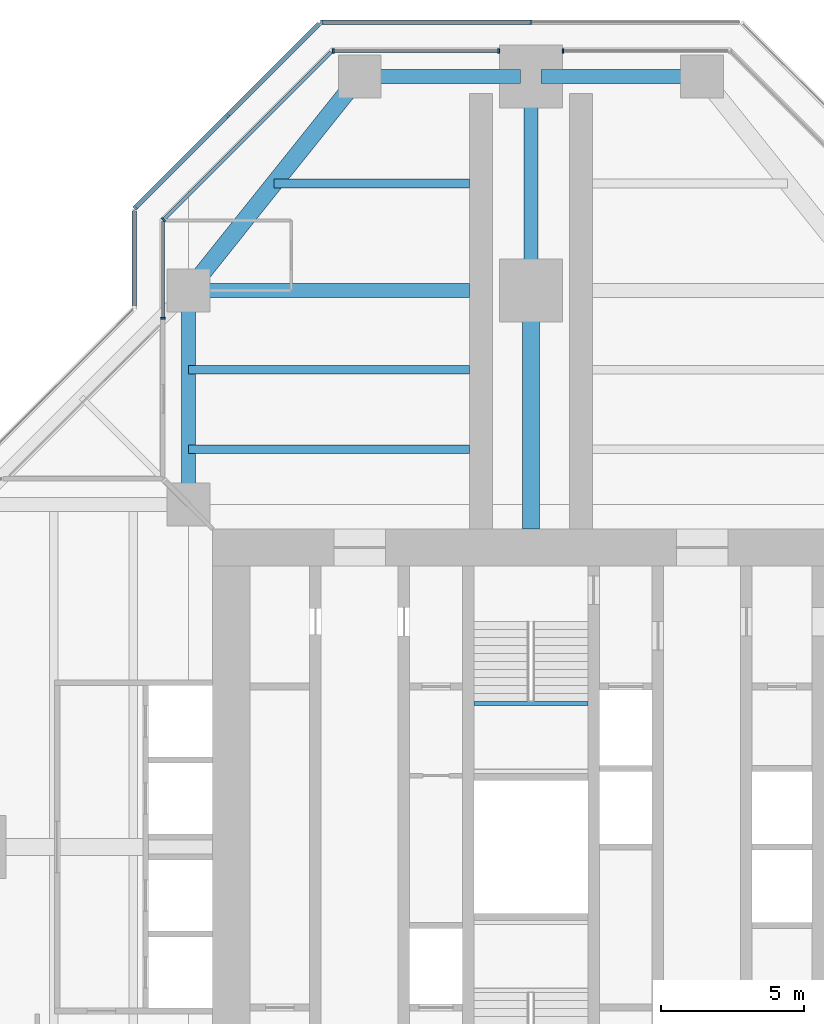
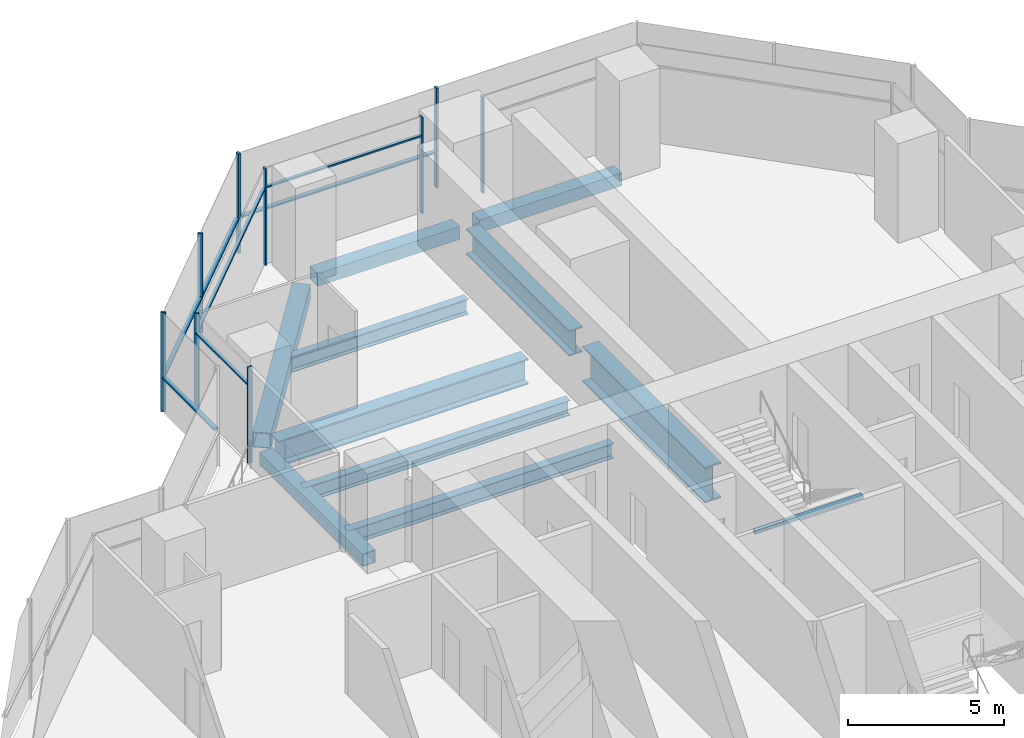
# One storey, part 7 of 17: 16 members, 11 beams, 7 elements without a shape of their own.
"""IFC4 building model written with IfcOpenShell, lengths in metres."""

from ifc_helpers import new_model, si_unit, direction, frame, origin, origin_2d, place, context, subcontext, project, spatial, rectangle, hollow_rectangle, i_section, extrude, material, material_profile, profile_set, type_object, element, aggregate, save


model = new_model("IFC4")

# Units and contexts
model_context = context("Model", 3, precision=1e-05, world=origin(), true_north=direction((0.0, 1.0)))
body_context = subcontext(model_context, "Body", "Model", "MODEL_VIEW")
ifc_project = project(units=[si_unit("LENGTHUNIT", "METRE"), si_unit("AREAUNIT", "SQUARE_METRE"), si_unit("VOLUMEUNIT", "CUBIC_METRE"), si_unit("PLANEANGLEUNIT", "RADIAN"), si_unit("MASSUNIT", "GRAM", prefix="KILO")], contexts=[model_context])

# Site, building, storey
site_placement = place(None, origin())
site = spatial("IfcSite", under=ifc_project, at=site_placement, CompositionType="ELEMENT")
building_placement = place(site_placement, origin())
building = spatial("IfcBuilding", under=site, at=building_placement, Name="Mizan Broadcast Tower", CompositionType="ELEMENT")
storey_placement = place(building_placement, frame((0.0, 0.0, 247.800048828125)))
storey = spatial("IfcBuildingStorey", under=building, at=storey_placement, Name="L58", CompositionType="ELEMENT", Elevation=247.800048828125)

# Beams
ifc_material_1 = material(Name="Steel S355", Category="steel")
ifc_material_profile_1 = material_profile(ifc_material_1, hollow_rectangle(XDim=0.5, YDim=0.5, WallThickness=0.030029296875, at=origin_2d()), Name="BOX 500x500x30")
ifc_profile_set_1 = profile_set([ifc_material_profile_1], Name="Steel S355")
beam_type_1 = type_object("IfcBeamType", Name="EDGE BEAM BOX 500x500x30", PredefinedType="SPANDREL", material=ifc_profile_set_1)
beam_1_placement = place(storey_placement, frame((5.639892578125, 27.0, -0.380126953125), z_axis=(-1.0, 0.0, 0.0), x_axis=(0.0, -1.0, 0.0)))
element("IfcBeam", 1, at=beam_1_placement, inside=storey, type_object=beam_type_1, Name="Edge beam BOX 500x500x30 L58 north arm", PredefinedType="SPANDREL", context=body_context, shape_type="SweptSolid", body=[
    extrude(hollow_rectangle(XDim=0.5, YDim=0.5, WallThickness=0.030029296875, at=origin_2d()), origin(), (0.0, 0.0, 1.0), 5.27978515625),
])
beam_2_placement = place(storey_placement, frame((-12.0, 12.449951171875, -0.380126953125), z_axis=(0.0, 1.0, 0.0), x_axis=(-1.0, 0.0, 0.0)))
element("IfcBeam", 2, at=beam_2_placement, inside=storey, type_object=beam_type_1, Name="Edge beam BOX 500x500x30 L58 north arm", PredefinedType="SPANDREL", context=body_context, shape_type="SweptSolid", body=[
    extrude(hollow_rectangle(XDim=0.5, YDim=0.5, WallThickness=0.030029296875, at=origin_2d()), origin(), (0.0, 0.0, 1.0), 6.60009765625),
])
beam_3_placement = place(storey_placement, frame((-5.639892578125, 27.0, -0.380126953125), z_axis=(1.0, 0.0, 0.0), x_axis=(0.0, 1.0, 0.0)))
element("IfcBeam", 3, at=beam_3_placement, inside=storey, type_object=beam_type_1, Name="Edge beam BOX 500x500x30 L58 north arm", PredefinedType="SPANDREL", context=body_context, shape_type="SweptSolid", body=[
    extrude(hollow_rectangle(XDim=0.5, YDim=0.5, WallThickness=0.030029296875, at=origin_2d()), origin(), (0.0, 0.0, 1.0), 5.27978515625),
])
ifc_material_2 = material(Name="Steel S355", Category="steel")
ifc_material_profile_2 = material_profile(ifc_material_2, hollow_rectangle(XDim=0.60009765625, YDim=0.60009765625, WallThickness=0.030029296875, at=origin_2d()), Name="BOX 600x600x30")
ifc_profile_set_2 = profile_set([ifc_material_profile_2], Name="Steel S355")
beam_type_2 = type_object("IfcBeamType", Name="EDGE BEAM BOX 600x600x30", PredefinedType="SPANDREL", material=ifc_profile_set_2)
beam_4_placement = place(storey_placement, frame((-11.639892578125, 19.949951171875, -0.429931640625), z_axis=(0.624673911726, 0.780885717636, 0.0), x_axis=(-0.780885717636, 0.624673911726, 0.0)))
element("IfcBeam", 4, at=beam_4_placement, inside=storey, type_object=beam_type_2, Name="Edge beam BOX 600x600x30 L58 north arm", PredefinedType="SPANDREL", context=body_context, shape_type="SweptSolid", body=[
    extrude(hollow_rectangle(XDim=0.60009765625, YDim=0.60009765625, WallThickness=0.030029296875, at=origin_2d()), origin(), (0.0, 0.0, 1.0), 8.4521484375),
])
ifc_material_3 = material(Name="Steel S460", Category="steel")
ifc_material_profile_3 = material_profile(ifc_material_3, i_section(OverallWidth=0.5, OverallDepth=1.0, WebThickness=0.02490234375, FlangeThickness=0.050048828125, at=origin_2d()), Name="WPG 1000x500")
ifc_profile_set_3 = profile_set([ifc_material_profile_3], Name="Steel S460")
beam_type_3 = type_object("IfcBeamType", Name="GIRDER WPG 1000x500", PredefinedType="BEAM", material=ifc_profile_set_3)
beam_5_placement = place(storey_placement, frame((0.0, 19.949951171875, -0.630126953125), z_axis=(0.0, 1.0, 0.0), x_axis=(-1.0, 0.0, 0.0)))
element("IfcBeam", 5, at=beam_5_placement, inside=storey, type_object=beam_type_3, Name="Girder WPG 1000x500 L58 north arm", PredefinedType="BEAM", context=body_context, shape_type="SweptSolid", body=[
    extrude(i_section(OverallWidth=0.5, OverallDepth=1.0, WebThickness=0.02490234375, FlangeThickness=0.050048828125, at=origin_2d()), origin(), (0.0, 0.0, 1.0), 6.60009765625),
])
beam_6_placement = place(storey_placement, frame((-11.408935546875, 19.5, -0.630126953125), z_axis=(1.0, 0.0, 0.0), x_axis=(0.0, 1.0, 0.0)))
element("IfcBeam", 6, at=beam_6_placement, inside=storey, type_object=beam_type_3, Name="Girder WPG 1000x500 L58 north arm", PredefinedType="BEAM", context=body_context, shape_type="SweptSolid", body=[
    extrude(i_section(OverallWidth=0.5, OverallDepth=1.0, WebThickness=0.02490234375, FlangeThickness=0.050048828125, at=origin_2d()), origin(), (0.0, 0.0, 1.0), 9.259033203125),
])
ifc_material_4 = material(Name="Steel S460", Category="steel")
ifc_material_profile_4 = material_profile(ifc_material_4, i_section(OverallWidth=0.60009765625, OverallDepth=1.39990234375, WebThickness=0.02490234375, FlangeThickness=0.06005859375, at=origin_2d()), Name="WPG 1400x600")
ifc_profile_set_4 = profile_set([ifc_material_profile_4], Name="Steel S460")
beam_type_4 = type_object("IfcBeamType", Name="GIRDER WPG 1400x600", PredefinedType="BEAM", material=ifc_profile_set_4)
beam_7_placement = place(storey_placement, frame((0.0, 11.14990234375, -0.830078125), z_axis=(0.0, 1.0, 0.0), x_axis=(-1.0, 0.0, 0.0)))
element("IfcBeam", 7, at=beam_7_placement, inside=storey, type_object=beam_type_4, Name="Girder WPG 1400x600 L58 north arm", PredefinedType="BEAM", context=body_context, shape_type="SweptSolid", body=[
    extrude(i_section(OverallWidth=0.60009765625, OverallDepth=1.39990234375, WebThickness=0.02490234375, FlangeThickness=0.06005859375, at=origin_2d()), origin(), (0.0, 0.0, 1.0), 7.84912109375),
])

# Curtain wall, member
ifc_material_5 = material(Name="Aluminium framed glazing", Category="aluminium")
curtain_wall_type_1 = type_object("IfcCurtainWallType", Name="INNER SKIN HIGH ZONE", PredefinedType="USERDEFINED", material=ifc_material_5)
curtain_wall_1_placement = place(storey_placement, origin())
curtain_wall_1 = element("IfcCurtainWall", 8, at=curtain_wall_1_placement, inside=storey, type_object=curtain_wall_type_1, Name="Inner skin high zone L58 N end", ObjectType="INNER SKIN HIGH ZONE", PredefinedType="USERDEFINED")
ifc_material_6 = material(Name="Aluminium, pale anodised", Category="aluminium")
ifc_material_profile_5 = material_profile(ifc_material_6, rectangle(XDim=0.159912109375, YDim=0.06005859375, at=origin_2d()), Name="MULLION 160x60")
ifc_profile_set_5 = profile_set([ifc_material_profile_5], Name="Aluminium, pale anodised")
member_type_1 = type_object("IfcMemberType", Name="INNER SKIN MULLION 60x160", PredefinedType="MULLION", material=ifc_profile_set_5)
member_1_placement = place(storey_placement, frame((1.1298828125, 27.89990234375, 0.0), z_axis=(0.0, 0.0, 1.0), x_axis=(0.0, -1.0, 0.0)))
member_1 = element("IfcMember", 9, at=member_1_placement, type_object=member_type_1, Name="Inner skin high zone L58 N end mullion 2", PredefinedType="MULLION", context=body_context, shape_type="SweptSolid", body=[
    extrude(rectangle(XDim=0.159912109375, YDim=0.06005859375, at=origin_2d()), origin(), (0.0, 0.0, 1.0), 3.77001953125),
])
aggregate(curtain_wall_1, [member_1])

# Curtain wall, members
curtain_wall_2_placement = place(storey_placement, origin())
curtain_wall_2 = element("IfcCurtainWall", 10, at=curtain_wall_2_placement, inside=storey, type_object=curtain_wall_type_1, Name="Inner skin high zone L58 N end", ObjectType="INNER SKIN HIGH ZONE", PredefinedType="USERDEFINED")
member_2_placement = place(storey_placement, frame((-1.1298828125, 27.89990234375, 0.0), z_axis=(0.0, 0.0, 1.0), x_axis=(0.0, -1.0, 0.0)))
member_2 = element("IfcMember", 11, at=member_2_placement, type_object=member_type_1, Name="Inner skin high zone L58 N end mullion 1", PredefinedType="MULLION", context=body_context, shape_type="SweptSolid", body=[
    extrude(rectangle(XDim=0.159912109375, YDim=0.06005859375, at=origin_2d()), origin(), (0.0, 0.0, 1.0), 3.77001953125),
])
member_3_placement = place(storey_placement, frame((-6.928466796875, 27.89990234375, 0.0), z_axis=(0.0, 0.0, 1.0), x_axis=(0.0, -1.0, 0.0)))
member_3 = element("IfcMember", 12, at=member_3_placement, type_object=member_type_1, Name="Inner skin high zone L58 N end mullion 2", PredefinedType="MULLION", context=body_context, shape_type="SweptSolid", body=[
    extrude(rectangle(XDim=0.159912109375, YDim=0.06005859375, at=origin_2d()), origin(), (0.0, 0.0, 1.0), 3.77001953125),
])

# Curtain wall, member
curtain_wall_3_placement = place(storey_placement, origin())
curtain_wall_3 = element("IfcCurtainWall", 13, at=curtain_wall_3_placement, inside=storey, type_object=curtain_wall_type_1, Name="Inner skin high zone L58 N chamfer", ObjectType="INNER SKIN HIGH ZONE", PredefinedType="USERDEFINED")
member_4_placement = place(storey_placement, frame((-12.87890625, 21.979736328125, 0.0), z_axis=(0.0, 0.0, 1.0), x_axis=(0.707106781187, -0.707106781187, 0.0)))
member_4 = element("IfcMember", 14, at=member_4_placement, type_object=member_type_1, Name="Inner skin high zone L58 N chamfer mullion 2", PredefinedType="MULLION", context=body_context, shape_type="SweptSolid", body=[
    extrude(rectangle(XDim=0.159912109375, YDim=0.06005859375, at=origin_2d()), origin(), (0.0, 0.0, 1.0), 3.77001953125),
])

curtain_wall_4_placement = place(storey_placement, origin())
curtain_wall_4 = element("IfcCurtainWall", 15, at=curtain_wall_4_placement, inside=storey, type_object=curtain_wall_type_1, Name="Inner skin high zone L58 N side", ObjectType="INNER SKIN HIGH ZONE", PredefinedType="USERDEFINED")
member_5_placement = place(storey_placement, frame((-12.89990234375, 18.530029296875, 0.0), z_axis=(0.0, 0.0, 1.0), x_axis=(1.0, 0.0, 0.0)))
member_5 = element("IfcMember", 16, at=member_5_placement, type_object=member_type_1, Name="Inner skin high zone L58 N side mullion 2", PredefinedType="MULLION", context=body_context, shape_type="SweptSolid", body=[
    extrude(rectangle(XDim=0.159912109375, YDim=0.06005859375, at=origin_2d()), origin(), (0.0, 0.0, 1.0), 3.77001953125),
])

# Member
ifc_material_7 = material(Name="Aluminium, pale anodised", Category="aluminium")
ifc_material_profile_6 = material_profile(ifc_material_7, rectangle(XDim=0.1201171875, YDim=0.06005859375, at=origin_2d()), Name="TRANSOM 120x60")
ifc_profile_set_6 = profile_set([ifc_material_profile_6], Name="Aluminium, pale anodised")
member_type_2 = type_object("IfcMemberType", Name="INNER SKIN TRANSOM 60x120", PredefinedType="USERDEFINED", material=ifc_profile_set_6)
member_6_placement = place(storey_placement, frame((-1.159912109375, 27.89990234375, 3.030029296875), z_axis=(-1.0, 0.0, 0.0), x_axis=(0.0, -1.0, 0.0)))
member_6 = element("IfcMember", 17, at=member_6_placement, type_object=member_type_2, Name="Inner skin high zone L58 N end transom 1.1", ObjectType="TRANSOM", PredefinedType="USERDEFINED", context=body_context, shape_type="SweptSolid", body=[
    extrude(rectangle(XDim=0.1201171875, YDim=0.06005859375, at=origin_2d()), origin(), (0.0, 0.0, 1.0), 5.73876953125),
])

aggregate(curtain_wall_2, [member_2, member_3, member_6])

member_7_placement = place(storey_placement, frame((-7.0009765625, 27.857666015625, 3.030029296875), z_axis=(-0.707106781187, -0.707106781187, 0.0), x_axis=(0.707106781187, -0.707106781187, 0.0)))
member_7 = element("IfcMember", 18, at=member_7_placement, type_object=member_type_2, Name="Inner skin high zone L58 N chamfer transom 1.1", ObjectType="TRANSOM", PredefinedType="USERDEFINED", context=body_context, shape_type="SweptSolid", body=[
    extrude(rectangle(XDim=0.1201171875, YDim=0.06005859375, at=origin_2d()), origin(), (0.0, 0.0, 1.0), 8.28271484375),
])

aggregate(curtain_wall_3, [member_4, member_7])

member_8_placement = place(storey_placement, frame((-12.89990234375, 21.898681640625, 3.030029296875), z_axis=(0.0, -1.0, 0.0), x_axis=(1.0, 0.0, 0.0)))
member_8 = element("IfcMember", 19, at=member_8_placement, type_object=member_type_2, Name="Inner skin high zone L58 N side transom 1.1", ObjectType="TRANSOM", PredefinedType="USERDEFINED", context=body_context, shape_type="SweptSolid", body=[
    extrude(rectangle(XDim=0.1201171875, YDim=0.06005859375, at=origin_2d()), origin(), (0.0, 0.0, 1.0), 3.338623046875),
])

aggregate(curtain_wall_4, [member_5, member_8])

# Beam
ifc_material_8 = material(Name="Steel S355", Category="steel")
ifc_material_profile_7 = material_profile(ifc_material_8, hollow_rectangle(XDim=0.14990234375, YDim=0.14990234375, WallThickness=0.008056640625, InnerFilletRadius=0.008056640625, OuterFilletRadius=0.011962890625, at=origin_2d()), Name="SHS 150x150x8")
ifc_profile_set_7 = profile_set([ifc_material_profile_7], Name="Steel S355")
beam_type_5 = type_object("IfcBeamType", Name="LANDING TRIMMER SHS 150x150x8", PredefinedType="BEAM", material=ifc_profile_set_7)
beam_8_placement = place(storey_placement, frame((2.0, 5.02490234375, 1.675048828125), z_axis=(-1.0, 0.0, 0.0), x_axis=(0.0, -1.0, 0.0)))
element("IfcBeam", 20, at=beam_8_placement, inside=storey, type_object=beam_type_5, Name="Stair B landing trimmer L58", PredefinedType="BEAM", context=body_context, shape_type="SweptSolid", body=[
    extrude(hollow_rectangle(XDim=0.14990234375, YDim=0.14990234375, WallThickness=0.008056640625, InnerFilletRadius=0.008056640625, OuterFilletRadius=0.011962890625, at=origin_2d()), origin(), (0.0, 0.0, 1.0), 4.0),
])

# Curtain wall, members
ifc_material_9 = material(Name="Aluminium framed glazing", Category="aluminium")
curtain_wall_type_2 = type_object("IfcCurtainWallType", Name="OUTER SKIN", PredefinedType="USERDEFINED", material=ifc_material_9)
curtain_wall_5_placement = place(storey_placement, origin())
curtain_wall_5 = element("IfcCurtainWall", 21, at=curtain_wall_5_placement, inside=storey, type_object=curtain_wall_type_2, Name="Outer skin L58 N end", ObjectType="OUTER SKIN", PredefinedType="USERDEFINED")
ifc_material_10 = material(Name="Aluminium, pale anodised", Category="aluminium")
ifc_material_profile_8 = material_profile(ifc_material_10, rectangle(XDim=0.159912109375, YDim=0.080078125, at=origin_2d()), Name="MULLION 160x80")
ifc_profile_set_8 = profile_set([ifc_material_profile_8], Name="Aluminium, pale anodised")
member_type_3 = type_object("IfcMemberType", Name="OUTER SKIN MULLION 80x160", PredefinedType="MULLION", material=ifc_profile_set_8)
member_9_placement = place(storey_placement, frame((0.0, 28.89990234375, 0.0), z_axis=(0.0, 0.0, 1.0), x_axis=(0.0, -1.0, 0.0)))
member_9 = element("IfcMember", 22, at=member_9_placement, type_object=member_type_3, Name="Outer skin L58 N end mullion 2", PredefinedType="MULLION", context=body_context, shape_type="SweptSolid", body=[
    extrude(rectangle(XDim=0.159912109375, YDim=0.080078125, at=origin_2d()), origin(), (0.0, 0.0, 1.0), 3.89990234375),
])
member_10_placement = place(storey_placement, frame((-7.332763671875, 28.89990234375, 0.0), z_axis=(0.0, 0.0, 1.0), x_axis=(0.0, -1.0, 0.0)))
member_10 = element("IfcMember", 23, at=member_10_placement, type_object=member_type_3, Name="Outer skin L58 N end mullion 3", PredefinedType="MULLION", context=body_context, shape_type="SweptSolid", body=[
    extrude(rectangle(XDim=0.159912109375, YDim=0.080078125, at=origin_2d()), origin(), (0.0, 0.0, 1.0), 3.89990234375),
])

curtain_wall_6_placement = place(storey_placement, origin())
curtain_wall_6 = element("IfcCurtainWall", 24, at=curtain_wall_6_placement, inside=storey, type_object=curtain_wall_type_2, Name="Outer skin L58 N chamfer", ObjectType="OUTER SKIN", PredefinedType="USERDEFINED")
member_11_placement = place(storey_placement, frame((-10.636474609375, 25.636474609375, 0.0), z_axis=(0.0, 0.0, 1.0), x_axis=(0.707106781187, -0.707106781187, 0.0)))
member_11 = element("IfcMember", 25, at=member_11_placement, type_object=member_type_3, Name="Outer skin L58 N chamfer mullion 2", PredefinedType="MULLION", context=body_context, shape_type="SweptSolid", body=[
    extrude(rectangle(XDim=0.159912109375, YDim=0.080078125, at=origin_2d()), origin(), (0.0, 0.0, 1.0), 3.89990234375),
])
member_12_placement = place(storey_placement, frame((-13.871826171875, 22.401123046875, 0.0), z_axis=(0.0, 0.0, 1.0), x_axis=(0.707106781187, -0.707106781187, 0.0)))
member_12 = element("IfcMember", 26, at=member_12_placement, type_object=member_type_3, Name="Outer skin L58 N chamfer mullion 3", PredefinedType="MULLION", context=body_context, shape_type="SweptSolid", body=[
    extrude(rectangle(XDim=0.159912109375, YDim=0.080078125, at=origin_2d()), origin(), (0.0, 0.0, 1.0), 3.89990234375),
])

# Member
ifc_material_11 = material(Name="Aluminium, pale anodised", Category="aluminium")
ifc_material_profile_9 = material_profile(ifc_material_11, rectangle(XDim=0.159912109375, YDim=0.06005859375, at=origin_2d()), Name="TRANSOM 160x60")
ifc_profile_set_9 = profile_set([ifc_material_profile_9], Name="Aluminium, pale anodised")
member_type_4 = type_object("IfcMemberType", Name="OUTER SKIN TRANSOM 60x160", PredefinedType="USERDEFINED", material=ifc_profile_set_9)
member_13_placement = place(storey_placement, frame((-0.0400390625, 28.89990234375, 1.39990234375), z_axis=(-1.0, 0.0, 0.0), x_axis=(0.0, -1.0, 0.0)))
member_13 = element("IfcMember", 27, at=member_13_placement, type_object=member_type_4, Name="Outer skin L58 N end transom 2.1", ObjectType="TRANSOM", PredefinedType="USERDEFINED", context=body_context, shape_type="SweptSolid", body=[
    extrude(rectangle(XDim=0.159912109375, YDim=0.06005859375, at=origin_2d()), origin(), (0.0, 0.0, 1.0), 7.252685546875),
])

aggregate(curtain_wall_5, [member_9, member_10, member_13])

member_14_placement = place(storey_placement, frame((-7.429443359375, 28.843505859375, 1.39990234375), z_axis=(-0.707106781187, -0.707106781187, 0.0), x_axis=(0.707106781187, -0.707106781187, 0.0)))
member_14 = element("IfcMember", 28, at=member_14_placement, type_object=member_type_4, Name="Outer skin L58 N chamfer transom 1.1", ObjectType="TRANSOM", PredefinedType="USERDEFINED", context=body_context, shape_type="SweptSolid", body=[
    extrude(rectangle(XDim=0.159912109375, YDim=0.06005859375, at=origin_2d()), origin(), (0.0, 0.0, 1.0), 4.495361328125),
])

member_15_placement = place(storey_placement, frame((-10.664794921875, 25.608154296875, 1.39990234375), z_axis=(-0.707106781187, -0.707106781187, 0.0), x_axis=(0.707106781187, -0.707106781187, 0.0)))
member_15 = element("IfcMember", 29, at=member_15_placement, type_object=member_type_4, Name="Outer skin L58 N chamfer transom 2.1", ObjectType="TRANSOM", PredefinedType="USERDEFINED", context=body_context, shape_type="SweptSolid", body=[
    extrude(rectangle(XDim=0.159912109375, YDim=0.06005859375, at=origin_2d()), origin(), (0.0, 0.0, 1.0), 4.495361328125),
])

aggregate(curtain_wall_6, [member_11, member_12, member_14, member_15])

# Curtain wall, member
curtain_wall_7_placement = place(storey_placement, origin())
curtain_wall_7 = element("IfcCurtainWall", 30, at=curtain_wall_7_placement, inside=storey, type_object=curtain_wall_type_2, Name="Outer skin L58 N side", ObjectType="OUTER SKIN", PredefinedType="USERDEFINED")
member_16_placement = place(storey_placement, frame((-13.89990234375, 22.292724609375, 1.39990234375), z_axis=(0.0, -1.0, 0.0), x_axis=(1.0, 0.0, 0.0)))
member_16 = element("IfcMember", 31, at=member_16_placement, type_object=member_type_4, Name="Outer skin L58 N side transom 1.1", ObjectType="TRANSOM", PredefinedType="USERDEFINED", context=body_context, shape_type="SweptSolid", body=[
    extrude(rectangle(XDim=0.159912109375, YDim=0.06005859375, at=origin_2d()), origin(), (0.0, 0.0, 1.0), 3.33984375),
])
aggregate(curtain_wall_7, [member_16])

# Beams
ifc_material_12 = material(Name="Steel S355", Category="steel")
ifc_material_profile_10 = material_profile(ifc_material_12, i_section(OverallWidth=0.300048828125, OverallDepth=0.590087890625, WebThickness=0.012939453125, FlangeThickness=0.02490234375, FilletRadius=0.027099609375, at=origin_2d()), Name="HEA 600")
ifc_profile_set_10 = profile_set([ifc_material_profile_10], Name="Steel S355")
beam_type_6 = type_object("IfcBeamType", Name="SECONDARY BEAM HEA 600", PredefinedType="JOIST", material=ifc_profile_set_10)
for number, where, z_axis, x_axis, name in (
    (32, (-12.0, 13.933349609375, -0.425048828125), (1.0, 0.0, 0.0), (0.0, 1.0, 0.0), "Secondary beam HEA 600 L58 north arm"),
    (33, (-12.0, 16.716552734375, -0.425048828125), (1.0, 0.0, 0.0), (0.0, 1.0, 0.0), "Secondary beam HEA 600 L58 north arm"),
):
    element("IfcBeam", number, at=place(storey_placement, frame(where, z_axis=z_axis, x_axis=x_axis)), inside=storey, type_object=beam_type_6, Name=name, PredefinedType="JOIST", context=body_context, shape_type="SweptSolid", body=[
        extrude(i_section(OverallWidth=0.300048828125, OverallDepth=0.590087890625, WebThickness=0.012939453125, FlangeThickness=0.02490234375, FilletRadius=0.027099609375, at=origin_2d()), origin(), (0.0, 0.0, 1.0), 9.85009765625),
    ])
beam_9_placement = place(storey_placement, frame((-9.0, 23.25, -0.425048828125), z_axis=(1.0, 0.0, 0.0), x_axis=(0.0, 1.0, 0.0)))
element("IfcBeam", 34, at=beam_9_placement, inside=storey, type_object=beam_type_6, Name="Secondary beam HEA 600 L58 north arm", PredefinedType="JOIST", context=body_context, shape_type="SweptSolid", body=[
    extrude(i_section(OverallWidth=0.300048828125, OverallDepth=0.590087890625, WebThickness=0.012939453125, FlangeThickness=0.02490234375, FilletRadius=0.027099609375, at=origin_2d()), origin(), (0.0, 0.0, 1.0), 6.85009765625),
])

save(model, "model.ifc")
